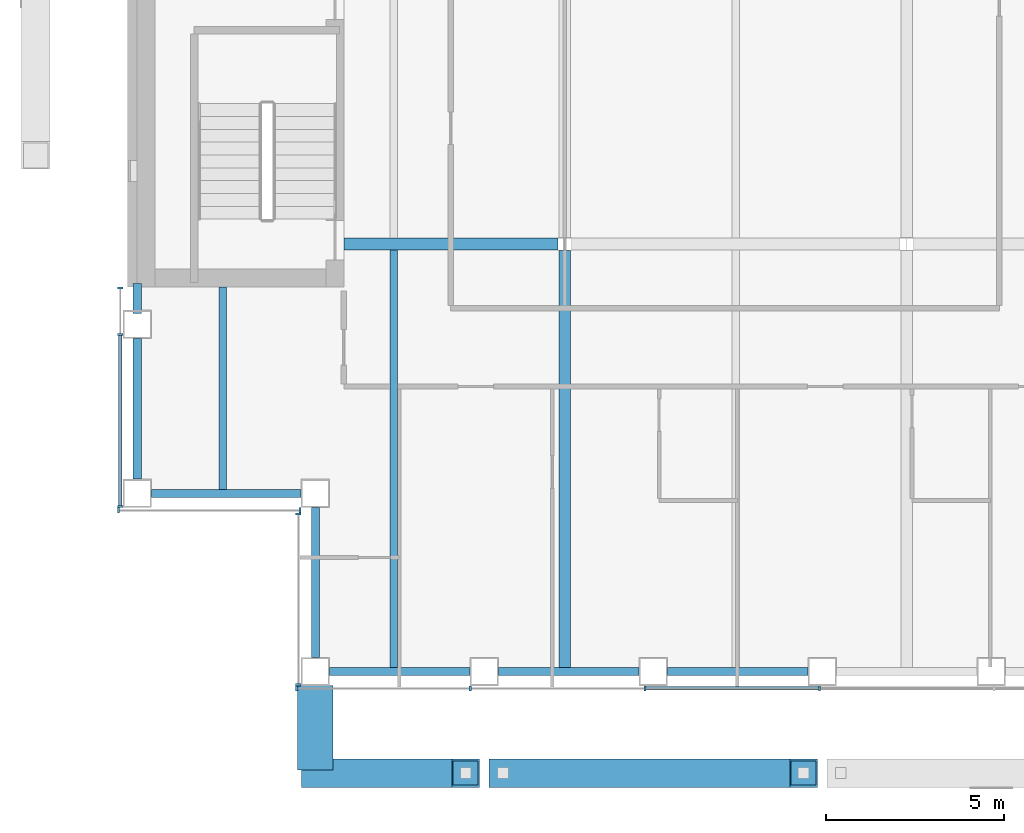
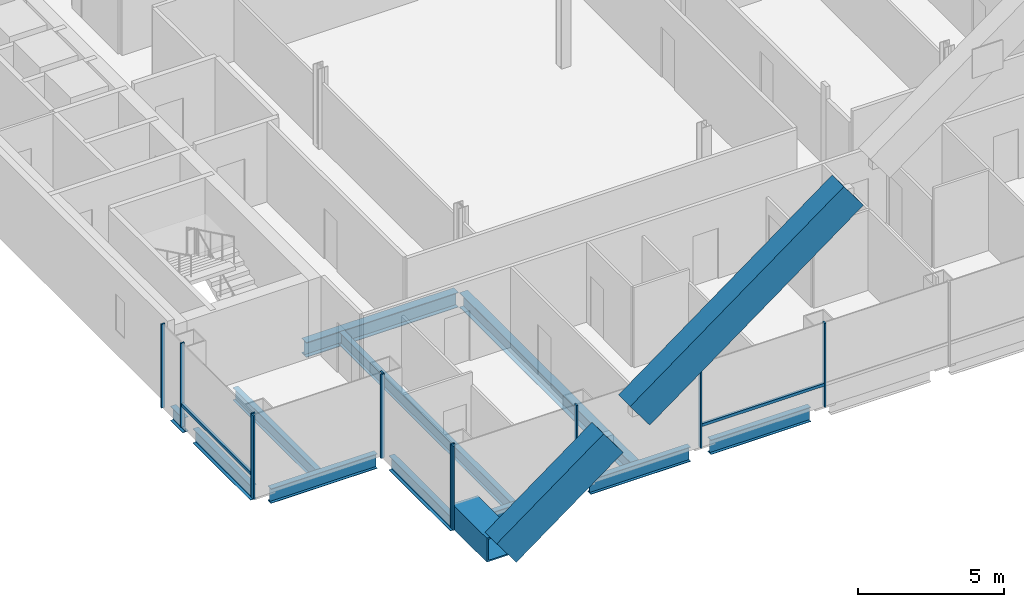
# One storey, part 3 of 18: 15 members, 12 beams, 4 elements without a shape of their own.
"""IFC4 building model written with IfcOpenShell, lengths in metres."""

from ifc_helpers import new_model, si_unit, direction, frame, origin, origin_2d, place, context, subcontext, project, spatial, rectangle, hollow_rectangle, i_section, extrude, material, material_profile, profile_set, type_object, element, aggregate, save


model = new_model("IFC4")

# Units and contexts
model_context = context("Model", 3, precision=1e-05, world=origin(), true_north=direction((0.0, 1.0)))
body_context = subcontext(model_context, "Body", "Model", "MODEL_VIEW")
ifc_project = project(units=[si_unit("LENGTHUNIT", "METRE"), si_unit("AREAUNIT", "SQUARE_METRE"), si_unit("VOLUMEUNIT", "CUBIC_METRE"), si_unit("PLANEANGLEUNIT", "RADIAN"), si_unit("MASSUNIT", "GRAM", prefix="KILO")], contexts=[model_context])

# Site, building, storey
site_placement = place(None, origin())
site = spatial("IfcSite", under=ifc_project, at=site_placement, CompositionType="ELEMENT")
building_placement = place(site_placement, origin())
building = spatial("IfcBuilding", under=site, at=building_placement, Name="Cobrizo Arcos Hotel Tower", CompositionType="ELEMENT")
storey_placement = place(building_placement, frame((0.0, 0.0, 158.5)))
storey = spatial("IfcBuildingStorey", under=building, at=storey_placement, Name="L40", CompositionType="ELEMENT", Elevation=158.5)

# Beam
ifc_material_1 = material(Name="Steel ASTM A572 Grade 50", Category="steel")
ifc_material_profile_1 = material_profile(ifc_material_1, hollow_rectangle(XDim=1.0, YDim=1.0, WallThickness=0.06005859375, at=origin_2d()), Name="BOX 1000X1000X60")
ifc_profile_set_1 = profile_set([ifc_material_profile_1], Name="Steel ASTM A572 Grade 50")
beam_type_1 = type_object("IfcBeamType", Name="BOX 1000X1000X60 brace connector strut", PredefinedType="BEAM", material=ifc_profile_set_1)
beam_1_placement = place(storey_placement, frame((-16.60009765625, -21.989990234375, 0.5), z_axis=(0.0, -1.0, 0.0), x_axis=(1.0, 0.0, 0.0)))
element("IfcBeam", 1, at=beam_1_placement, inside=storey, type_object=beam_type_1, Name="Perimeter brace stub BS1, zone Z3, south face, offset -16.60 m, L40", PredefinedType="BEAM", context=body_context, shape_type="SweptSolid", body=[
    extrude(hollow_rectangle(XDim=1.0, YDim=1.0, WallThickness=0.06005859375, at=origin_2d()), origin(), (0.0, 0.0, 1.0), 2.380126953125),
])

# Members
ifc_material_profile_2 = material_profile(ifc_material_1, hollow_rectangle(XDim=0.800048828125, YDim=1.300048828125, WallThickness=0.06005859375, at=origin_2d()), Name="BOX 800X1300X60")
ifc_profile_set_2 = profile_set([ifc_material_profile_2], Name="Steel ASTM A572 Grade 50")
member_type_1 = type_object("IfcMemberType", Name="BOX 800X1300X60 perimeter brace", PredefinedType="BRACE", material=ifc_profile_set_2)
member_1_placement = place(storey_placement, frame((-16.60009765625, -24.449951171875, 0.5), z_axis=(0.804623858684, 0.0, 0.593784848271), x_axis=(0.0, 1.0, 0.0)))
element("IfcMember", 2, at=member_1_placement, inside=storey, type_object=member_type_1, Name="Perimeter brace PBR3, zone Z3, south face, no. 08", PredefinedType="BRACE", context=body_context, shape_type="SweptSolid", body=[
    extrude(hollow_rectangle(XDim=0.800048828125, YDim=1.300048828125, WallThickness=0.06005859375, at=origin_2d()), origin(), (0.0, 0.0, 1.0), 5.244384765625),
])
member_2_placement = place(storey_placement, frame((-11.333984375, -24.449951171875, 4.385986328125), z_axis=(0.804623858684, 0.0, 0.593784848271), x_axis=(0.0, 1.0, 0.0)))
element("IfcMember", 3, at=member_2_placement, inside=storey, type_object=member_type_1, Name="Perimeter brace PBR3, zone Z3, south face, no. 08b", PredefinedType="BRACE", context=body_context, shape_type="SweptSolid", body=[
    extrude(hollow_rectangle(XDim=0.800048828125, YDim=1.300048828125, WallThickness=0.06005859375, at=origin_2d()), origin(), (0.0, 0.0, 1.0), 10.48876953125),
])

# Curtain wall, members
ifc_material_2 = material(Name="Aluminium 6063-T6 anodised bronze", Category="aluminium")
curtain_wall_type = type_object("IfcCurtainWallType", Name="CW-A guest facade", PredefinedType="NOTDEFINED", material=ifc_material_2)
curtain_wall_1_placement = place(storey_placement, origin())
curtain_wall_1 = element("IfcCurtainWall", 4, at=curtain_wall_1_placement, inside=storey, type_object=curtain_wall_type, Name="CW-A L40 S face", PredefinedType="NOTDEFINED")
ifc_material_profile_3 = material_profile(ifc_material_2, rectangle(XDim=0.14990234375, YDim=0.06005859375, at=origin_2d()), Name="CW-A mullion 150x60")
ifc_profile_set_3 = profile_set([ifc_material_profile_3], Name="Aluminium 6063-T6 anodised bronze")
member_type_2 = type_object("IfcMemberType", Name="CW-A mullion 150x60", PredefinedType="MULLION", material=ifc_profile_set_3)
member_3_placement = place(storey_placement, frame((-17.1201171875, -22.074951171875, 0.0), z_axis=(0.0, 0.0, 1.0), x_axis=(0.0, -1.0, 0.0)))
member_3 = element("IfcMember", 5, at=member_3_placement, type_object=member_type_2, Name="CW-A mullion 1", PredefinedType="MULLION", context=body_context, shape_type="SweptSolid", body=[
    extrude(rectangle(XDim=0.14990234375, YDim=0.06005859375, at=origin_2d()), origin(), (0.0, 0.0, 1.0), 3.5),
])
member_4_placement = place(storey_placement, frame((-12.25, -22.074951171875, 0.0), z_axis=(0.0, 0.0, 1.0), x_axis=(0.0, -1.0, 0.0)))
member_4 = element("IfcMember", 6, at=member_4_placement, type_object=member_type_2, Name="CW-A mullion 2", PredefinedType="MULLION", context=body_context, shape_type="SweptSolid", body=[
    extrude(rectangle(XDim=0.14990234375, YDim=0.06005859375, at=origin_2d()), origin(), (0.0, 0.0, 1.0), 3.5),
])
member_5_placement = place(storey_placement, frame((-7.35009765625, -22.074951171875, 0.0), z_axis=(0.0, 0.0, 1.0), x_axis=(0.0, -1.0, 0.0)))
member_5 = element("IfcMember", 7, at=member_5_placement, type_object=member_type_2, Name="CW-A mullion 3", PredefinedType="MULLION", context=body_context, shape_type="SweptSolid", body=[
    extrude(rectangle(XDim=0.14990234375, YDim=0.06005859375, at=origin_2d()), origin(), (0.0, 0.0, 1.0), 3.5),
])
member_6_placement = place(storey_placement, frame((-2.449951171875, -22.074951171875, 0.0), z_axis=(0.0, 0.0, 1.0), x_axis=(0.0, -1.0, 0.0)))
member_6 = element("IfcMember", 8, at=member_6_placement, type_object=member_type_2, Name="CW-A mullion 4", PredefinedType="MULLION", context=body_context, shape_type="SweptSolid", body=[
    extrude(rectangle(XDim=0.14990234375, YDim=0.06005859375, at=origin_2d()), origin(), (0.0, 0.0, 1.0), 3.5),
])

curtain_wall_2_placement = place(storey_placement, origin())
curtain_wall_2 = element("IfcCurtainWall", 9, at=curtain_wall_2_placement, inside=storey, type_object=curtain_wall_type, Name="CW-A L40 W face", PredefinedType="NOTDEFINED")
member_7_placement = place(storey_placement, frame((-22.074951171875, -10.830078125, 0.0), z_axis=(0.0, 0.0, 1.0), x_axis=(-1.0, 0.0, 0.0)))
member_7 = element("IfcMember", 10, at=member_7_placement, type_object=member_type_2, Name="CW-A mullion 1", PredefinedType="MULLION", context=body_context, shape_type="SweptSolid", body=[
    extrude(rectangle(XDim=0.14990234375, YDim=0.06005859375, at=origin_2d()), origin(), (0.0, 0.0, 1.0), 3.5),
])
member_8_placement = place(storey_placement, frame((-22.074951171875, -12.142822265625, 0.0), z_axis=(0.0, 0.0, 1.0), x_axis=(-1.0, 0.0, 0.0)))
member_8 = element("IfcMember", 11, at=member_8_placement, type_object=member_type_2, Name="CW-A mullion 2", PredefinedType="MULLION", context=body_context, shape_type="SweptSolid", body=[
    extrude(rectangle(XDim=0.14990234375, YDim=0.06005859375, at=origin_2d()), origin(), (0.0, 0.0, 1.0), 3.5),
])
member_9_placement = place(storey_placement, frame((-22.074951171875, -16.969970703125, 0.0), z_axis=(0.0, 0.0, 1.0), x_axis=(-1.0, 0.0, 0.0)))
member_9 = element("IfcMember", 12, at=member_9_placement, type_object=member_type_2, Name="CW-A mullion 3", PredefinedType="MULLION", context=body_context, shape_type="SweptSolid", body=[
    extrude(rectangle(XDim=0.14990234375, YDim=0.06005859375, at=origin_2d()), origin(), (0.0, 0.0, 1.0), 3.5),
])

curtain_wall_3_placement = place(storey_placement, origin())
curtain_wall_3 = element("IfcCurtainWall", 13, at=curtain_wall_3_placement, inside=storey, type_object=curtain_wall_type, Name="CW-A L40 S face", PredefinedType="NOTDEFINED")
member_10_placement = place(storey_placement, frame((-22.1201171875, -17.074951171875, 0.0), z_axis=(0.0, 0.0, 1.0), x_axis=(0.0, -1.0, 0.0)))
member_10 = element("IfcMember", 14, at=member_10_placement, type_object=member_type_2, Name="CW-A mullion 1", PredefinedType="MULLION", context=body_context, shape_type="SweptSolid", body=[
    extrude(rectangle(XDim=0.14990234375, YDim=0.06005859375, at=origin_2d()), origin(), (0.0, 0.0, 1.0), 3.5),
])
member_11_placement = place(storey_placement, frame((-17.030029296875, -17.074951171875, 0.0), z_axis=(0.0, 0.0, 1.0), x_axis=(0.0, -1.0, 0.0)))
member_11 = element("IfcMember", 15, at=member_11_placement, type_object=member_type_2, Name="CW-A mullion 2", PredefinedType="MULLION", context=body_context, shape_type="SweptSolid", body=[
    extrude(rectangle(XDim=0.14990234375, YDim=0.06005859375, at=origin_2d()), origin(), (0.0, 0.0, 1.0), 3.5),
])
aggregate(curtain_wall_3, [member_10, member_11])

curtain_wall_4_placement = place(storey_placement, origin())
curtain_wall_4 = element("IfcCurtainWall", 16, at=curtain_wall_4_placement, inside=storey, type_object=curtain_wall_type, Name="CW-A L40 W face", PredefinedType="NOTDEFINED")
member_12_placement = place(storey_placement, frame((-17.074951171875, -17.179931640625, 0.0), z_axis=(0.0, 0.0, 1.0), x_axis=(-1.0, 0.0, 0.0)))
member_12 = element("IfcMember", 17, at=member_12_placement, type_object=member_type_2, Name="CW-A mullion 1", PredefinedType="MULLION", context=body_context, shape_type="SweptSolid", body=[
    extrude(rectangle(XDim=0.14990234375, YDim=0.06005859375, at=origin_2d()), origin(), (0.0, 0.0, 1.0), 3.5),
])
member_13_placement = place(storey_placement, frame((-17.074951171875, -21.969970703125, 0.0), z_axis=(0.0, 0.0, 1.0), x_axis=(-1.0, 0.0, 0.0)))
member_13 = element("IfcMember", 18, at=member_13_placement, type_object=member_type_2, Name="CW-A mullion 2", PredefinedType="MULLION", context=body_context, shape_type="SweptSolid", body=[
    extrude(rectangle(XDim=0.14990234375, YDim=0.06005859375, at=origin_2d()), origin(), (0.0, 0.0, 1.0), 3.5),
])
aggregate(curtain_wall_4, [member_12, member_13])

# Member
ifc_material_profile_4 = material_profile(ifc_material_2, rectangle(XDim=0.10009765625, YDim=0.1201171875, at=origin_2d()), Name="CW-A transom 120x100")
ifc_profile_set_4 = profile_set([ifc_material_profile_4], Name="Aluminium 6063-T6 anodised bronze")
member_type_3 = type_object("IfcMemberType", Name="CW-A transom 120x100", PredefinedType="USERDEFINED", material=ifc_profile_set_4)
member_14_placement = place(storey_placement, frame((-7.320068359375, -22.074951171875, 0.929931640625), z_axis=(1.0, 0.0, 0.0), x_axis=(0.0, 1.0, 0.0)))
member_14 = element("IfcMember", 19, at=member_14_placement, type_object=member_type_3, Name="CW-A transom 1428", ObjectType="TRANSOM", PredefinedType="USERDEFINED", context=body_context, shape_type="SweptSolid", body=[
    extrude(rectangle(XDim=0.10009765625, YDim=0.1201171875, at=origin_2d()), origin(), (0.0, 0.0, 1.0), 4.840087890625),
])

aggregate(curtain_wall_1, [member_3, member_4, member_5, member_6, member_14])

member_15_placement = place(storey_placement, frame((-22.074951171875, -12.1728515625, 0.929931640625), z_axis=(0.0, -1.0, 0.0), x_axis=(1.0, 0.0, 0.0)))
member_15 = element("IfcMember", 20, at=member_15_placement, type_object=member_type_3, Name="CW-A transom 1453", ObjectType="TRANSOM", PredefinedType="USERDEFINED", context=body_context, shape_type="SweptSolid", body=[
    extrude(rectangle(XDim=0.10009765625, YDim=0.1201171875, at=origin_2d()), origin(), (0.0, 0.0, 1.0), 4.76708984375),
])

aggregate(curtain_wall_2, [member_7, member_8, member_9, member_15])

# Beams
ifc_material_3 = material(Name="Steel ASTM A992 Grade 50", Category="steel")
ifc_material_profile_5 = material_profile(ifc_material_3, i_section(OverallWidth=0.209228515625, OverallDepth=0.533447265625, WebThickness=0.01025390625, FlangeThickness=0.015625, at=origin_2d()), Name="W21X62")
ifc_profile_set_5 = profile_set([ifc_material_profile_5], Name="Steel ASTM A992 Grade 50")
beam_type_2 = type_object("IfcBeamType", Name="W21X62 joist", PredefinedType="JOIST", material=ifc_profile_set_5)
beam_2_placement = place(storey_placement, frame((-19.199951171875, -16.510009765625, -0.416748046875), z_axis=(0.0, 1.0, 0.0), x_axis=(-1.0, 0.0, 0.0)))
element("IfcBeam", 21, at=beam_2_placement, inside=storey, type_object=beam_type_2, Name="Floor joist J1, L40, no. 001", PredefinedType="JOIST", context=body_context, shape_type="SweptSolid", body=[
    extrude(i_section(OverallWidth=0.209228515625, OverallDepth=0.533447265625, WebThickness=0.01025390625, FlangeThickness=0.015625, at=origin_2d()), origin(), (0.0, 0.0, 1.0), 5.699951171875),
])
beam_3_placement = place(storey_placement, frame((-14.39990234375, -21.510009765625, -0.416748046875), z_axis=(0.0, 1.0, 0.0), x_axis=(-1.0, 0.0, 0.0)))
element("IfcBeam", 22, at=beam_3_placement, inside=storey, type_object=beam_type_2, Name="Floor joist J1, L40, no. 003", PredefinedType="JOIST", context=body_context, shape_type="SweptSolid", body=[
    extrude(i_section(OverallWidth=0.209228515625, OverallDepth=0.533447265625, WebThickness=0.01025390625, FlangeThickness=0.015625, at=origin_2d()), origin(), (0.0, 0.0, 1.0), 11.74609375),
])
ifc_material_profile_6 = material_profile(ifc_material_3, i_section(OverallWidth=0.32763671875, OverallDepth=0.622314453125, WebThickness=0.015380859375, FlangeThickness=0.0244140625, at=origin_2d()), Name="W24X131")
ifc_profile_set_6 = profile_set([ifc_material_profile_6], Name="Steel ASTM A992 Grade 50")
beam_type_3 = type_object("IfcBeamType", Name="W24X131 girder", PredefinedType="BEAM", material=ifc_profile_set_6)
beam_4_placement = place(storey_placement, frame((-15.7900390625, -9.60009765625, -0.461181640625), z_axis=(1.0, 0.0, 0.0), x_axis=(0.0, 1.0, 0.0)))
element("IfcBeam", 23, at=beam_4_placement, inside=storey, type_object=beam_type_3, Name="Floor girder G1, L40, no. 001", PredefinedType="BEAM", context=body_context, shape_type="SweptSolid", body=[
    extrude(i_section(OverallWidth=0.32763671875, OverallDepth=0.622314453125, WebThickness=0.015380859375, FlangeThickness=0.0244140625, at=origin_2d()), origin(), (0.0, 0.0, 1.0), 6.00341796875),
])
beam_5_placement = place(storey_placement, frame((-9.60009765625, -21.510009765625, -0.461181640625), z_axis=(0.0, 1.0, 0.0), x_axis=(-1.0, 0.0, 0.0)))
element("IfcBeam", 24, at=beam_5_placement, inside=storey, type_object=beam_type_3, Name="Floor girder G1, L40, no. 013", PredefinedType="BEAM", context=body_context, shape_type="SweptSolid", body=[
    extrude(i_section(OverallWidth=0.32763671875, OverallDepth=0.622314453125, WebThickness=0.015380859375, FlangeThickness=0.0244140625, at=origin_2d()), origin(), (0.0, 0.0, 1.0), 11.723388671875),
])
ifc_material_profile_7 = material_profile(ifc_material_3, i_section(OverallWidth=0.228271484375, OverallDepth=0.607177734375, WebThickness=0.01123046875, FlangeThickness=0.017333984375, at=origin_2d()), Name="W24X76")
ifc_profile_set_7 = profile_set([ifc_material_profile_7], Name="Steel ASTM A992 Grade 50")
beam_type_4 = type_object("IfcBeamType", Name="W24X76 spandrel", PredefinedType="SPANDREL", material=ifc_profile_set_7)
beam_6_placement = place(storey_placement, frame((-16.199951171875, -21.60009765625, -0.45361328125), z_axis=(1.0, 0.0, 0.0), x_axis=(0.0, 1.0, 0.0)))
element("IfcBeam", 25, at=beam_6_placement, inside=storey, type_object=beam_type_4, Name="Spandrel beam W24X76, L40, no. 001", PredefinedType="SPANDREL", context=body_context, shape_type="SweptSolid", body=[
    extrude(i_section(OverallWidth=0.228271484375, OverallDepth=0.607177734375, WebThickness=0.01123046875, FlangeThickness=0.017333984375, at=origin_2d()), origin(), (0.0, 0.0, 1.0), 3.94287109375),
])
for number, where, z_axis, x_axis, name in (
    (26, (-11.45703125, -21.60009765625, -0.45361328125), (1.0, 0.0, 0.0), (0.0, 1.0, 0.0), "Spandrel beam W24X76, L40, no. 002"),
    (27, (-6.714111328125, -21.60009765625, -0.45361328125), (1.0, 0.0, 0.0), (0.0, 1.0, 0.0), "Spandrel beam W24X76, L40, no. 003"),
):
    element("IfcBeam", number, at=place(storey_placement, frame(where, z_axis=z_axis, x_axis=x_axis)), inside=storey, type_object=beam_type_4, Name=name, PredefinedType="SPANDREL", context=body_context, shape_type="SweptSolid", body=[
        extrude(i_section(OverallWidth=0.228271484375, OverallDepth=0.607177734375, WebThickness=0.01123046875, FlangeThickness=0.017333984375, at=origin_2d()), origin(), (0.0, 0.0, 1.0), 3.943115234375),
    ])
beam_7_placement = place(storey_placement, frame((-21.60009765625, -10.7099609375, -0.45361328125), z_axis=(0.0, -1.0, 0.0), x_axis=(1.0, 0.0, 0.0)))
element("IfcBeam", 28, at=beam_7_placement, inside=storey, type_object=beam_type_4, Name="Spandrel beam W24X76, L40, no. 027", PredefinedType="SPANDREL", context=body_context, shape_type="SweptSolid", body=[
    extrude(i_section(OverallWidth=0.228271484375, OverallDepth=0.607177734375, WebThickness=0.01123046875, FlangeThickness=0.017333984375, at=origin_2d()), origin(), (0.0, 0.0, 1.0), 0.846923828125),
])
beam_8_placement = place(storey_placement, frame((-21.60009765625, -12.257080078125, -0.45361328125), z_axis=(0.0, -1.0, 0.0), x_axis=(1.0, 0.0, 0.0)))
element("IfcBeam", 29, at=beam_8_placement, inside=storey, type_object=beam_type_4, Name="Spandrel beam W24X76, L40, no. 028", PredefinedType="SPANDREL", context=body_context, shape_type="SweptSolid", body=[
    extrude(i_section(OverallWidth=0.228271484375, OverallDepth=0.607177734375, WebThickness=0.01123046875, FlangeThickness=0.017333984375, at=origin_2d()), origin(), (0.0, 0.0, 1.0), 3.94287109375),
])
for number, where, z_axis, x_axis, name in (
    (30, (-21.199951171875, -16.60009765625, -0.45361328125), (1.0, 0.0, 0.0), (0.0, 1.0, 0.0), "Spandrel beam W24X76, L40, no. 029"),
    (31, (-16.60009765625, -17.0, -0.45361328125), (0.0, -1.0, 0.0), (1.0, 0.0, 0.0), "Spandrel beam W24X76, L40, no. 030"),
):
    element("IfcBeam", number, at=place(storey_placement, frame(where, z_axis=z_axis, x_axis=x_axis)), inside=storey, type_object=beam_type_4, Name=name, PredefinedType="SPANDREL", context=body_context, shape_type="SweptSolid", body=[
        extrude(i_section(OverallWidth=0.228271484375, OverallDepth=0.607177734375, WebThickness=0.01123046875, FlangeThickness=0.017333984375, at=origin_2d()), origin(), (0.0, 0.0, 1.0), 4.199951171875),
    ])

save(model, "model.ifc")
